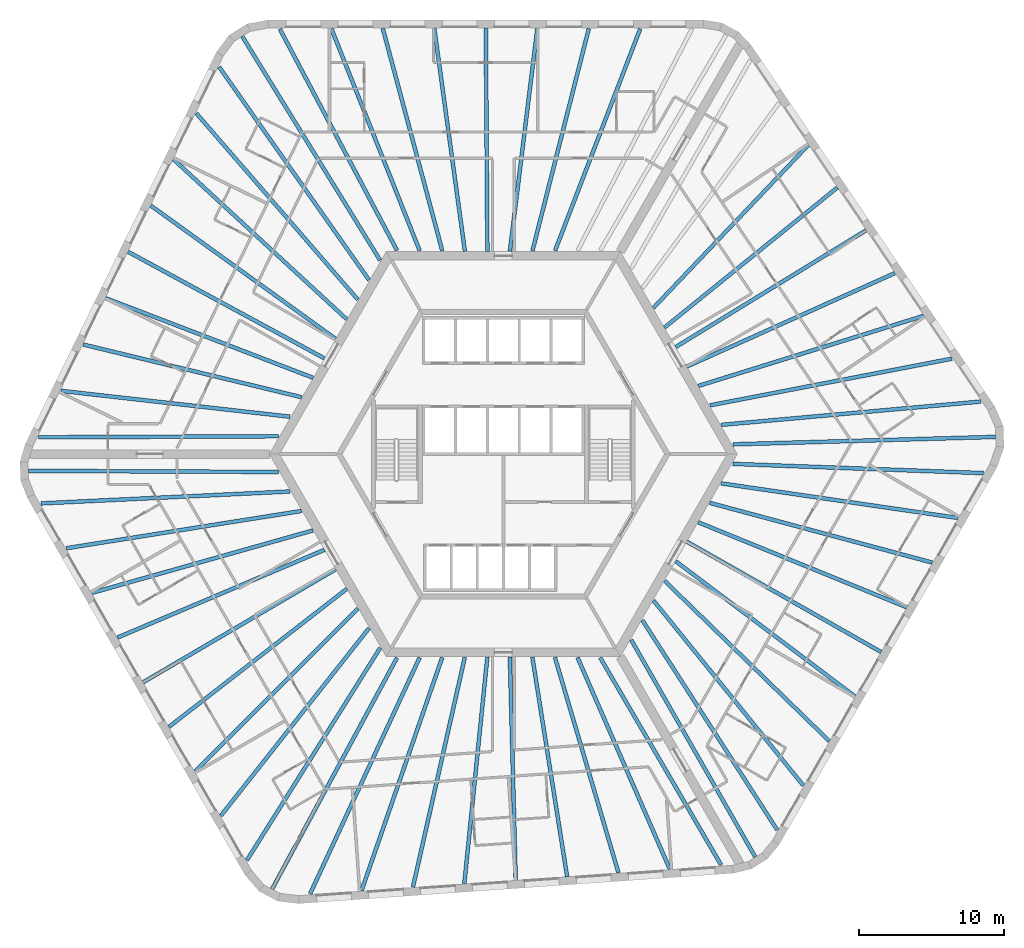
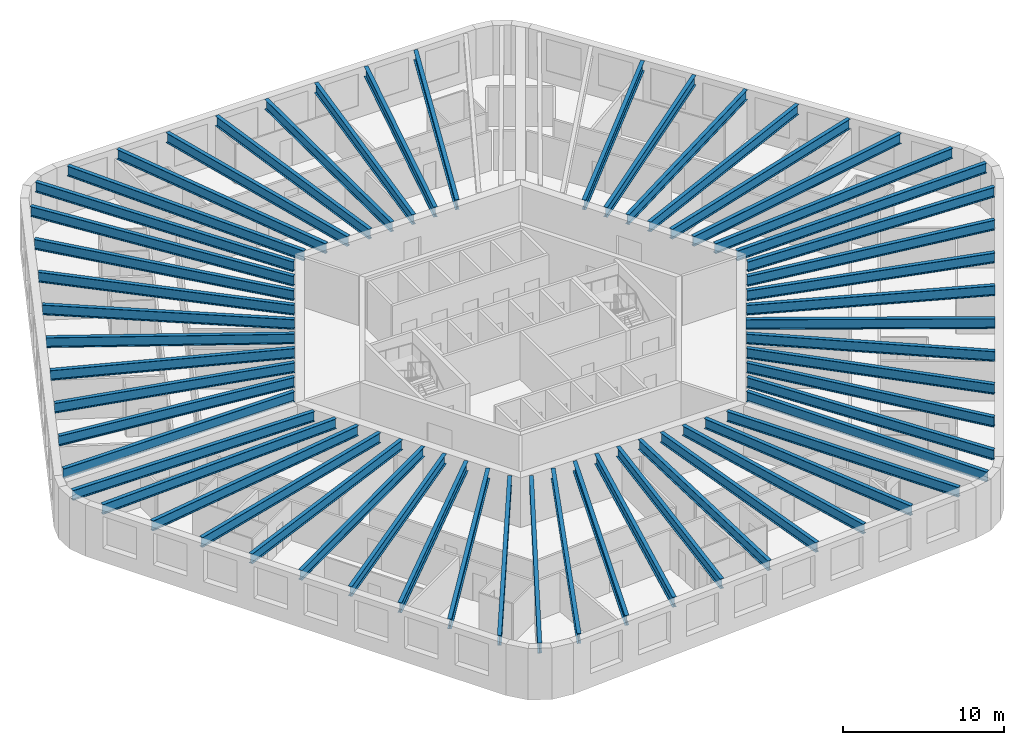
# One storey, part 1 of 11: 56 beams.
"""IFC4 building model written with IfcOpenShell, lengths in metres."""

import ifcopenshell
import ifcopenshell.guid

model = None  # the IFC model being written
_history = None  # IfcOwnerHistory: only IFC2X3 demands one
_inside = {}  # id of a spatial element -> (the spatial element, [elements in it])
_under = {}  # id of a project, library or spatial element -> (it, [spatial elements below it])
_declared = {}  # id of a project -> (the project, [libraries it declares])
_typed = {}  # id of a type object -> (the type object, [elements of that type])
_made_of = {}  # id of a material, layer set ... -> (it, [elements and type objects made of it])


def new_model(schema):
    """Start an empty IFC model of exactly this schema.

    Asked for "IFC4X3", IfcOpenShell would pick the latest addendum, in which some entities
    have other attributes; the version numbers below select the first issue.
    IFC2X3 requires an IfcOwnerHistory on every rooted entity: one is made here for all.
    """
    global model, _history
    if schema == "IFC4X3":
        model = ifcopenshell.file(schema_version=(4, 3, 0, 0))
    else:
        model = ifcopenshell.file(schema=schema)
    _inside.clear()
    _under.clear()
    _declared.clear()
    _typed.clear()
    _made_of.clear()
    _history = None
    if model.schema == "IFC2X3":
        org = make("IfcOrganization", Name="unknown")
        user = make(
            "IfcPersonAndOrganization",
            ThePerson=make("IfcPerson", FamilyName="unknown"),
            TheOrganization=org,
        )
        app = make(
            "IfcApplication",
            ApplicationDeveloper=org,
            Version="unknown",
            ApplicationFullName="unknown",
            ApplicationIdentifier="unknown",
        )
        _history = make(
            "IfcOwnerHistory",
            OwningUser=user,
            OwningApplication=app,
            ChangeAction="ADDED",
            CreationDate=0,
        )
    return model


def make(cls, **values):
    """One entity of the class cls with the attributes given. An attribute that is None is left unset."""
    return model.create_entity(
        cls, **{name: value for name, value in values.items() if value is not None}
    )


def rooted(cls, **values):
    """An entity with a GlobalId (a new one), such as an element, a storey or a relation."""
    return make(cls, GlobalId=ifcopenshell.guid.new(), OwnerHistory=_history, **values)


def si_unit(unit_type, name, prefix=None):
    """IfcSIUnit, for example si_unit("LENGTHUNIT", "METRE", prefix="MILLI")."""
    return make("IfcSIUnit", UnitType=unit_type, Prefix=prefix, Name=name)


def assignment(units):
    """IfcUnitAssignment: the units of a project."""
    return None if units is None else make("IfcUnitAssignment", Units=units)


def point(xyz):
    """IfcCartesianPoint."""
    return None if xyz is None else make("IfcCartesianPoint", Coordinates=xyz)


def direction(xyz):
    """IfcDirection."""
    return None if xyz is None else make("IfcDirection", DirectionRatios=xyz)


def frame(location, z_axis=None, x_axis=None):
    """IfcAxis2Placement3D, a coordinate frame: its origin and axes. An axis left out is left unset."""
    return make(
        "IfcAxis2Placement3D",
        Location=point(location),
        Axis=direction(z_axis),
        RefDirection=direction(x_axis),
    )


def frame_2d(location, x_axis=None):
    """IfcAxis2Placement2D, a coordinate frame in the plane: its origin and x axis."""
    return make(
        "IfcAxis2Placement2D", Location=point(location), RefDirection=direction(x_axis)
    )


def origin():
    """The frame at (0, 0, 0) with its axes left unset."""
    return frame((0.0, 0.0, 0.0))


def origin_2d():
    """The frame at (0, 0) in the plane with its x axis left unset."""
    return frame_2d((0.0, 0.0))


def place(relative_to, where):
    """IfcLocalPlacement: puts the frame where relative to a parent placement (None: the world)."""
    return make(
        "IfcLocalPlacement", PlacementRelTo=relative_to, RelativePlacement=where
    )


def context(
    kind, dimensions, precision=None, world=None, true_north=None, identifier=None
):
    """IfcGeometricRepresentationContext, for example the 3D "Model" context."""
    return make(
        "IfcGeometricRepresentationContext",
        ContextIdentifier=identifier,
        ContextType=kind,
        CoordinateSpaceDimension=dimensions,
        Precision=precision,
        WorldCoordinateSystem=world,
        TrueNorth=true_north,
    )


def subcontext(parent, identifier, kind, view, scale=None):
    """IfcGeometricRepresentationSubContext, for example "Body" below "Model"."""
    return make(
        "IfcGeometricRepresentationSubContext",
        ContextIdentifier=identifier,
        ContextType=kind,
        ParentContext=parent,
        TargetScale=scale,
        TargetView=view,
    )


def project(units=None, contexts=None):
    """IfcProject with its units and contexts."""
    return rooted(
        "IfcProject",
        Name="project",
        RepresentationContexts=contexts,
        UnitsInContext=assignment(units),
    )


def spatial(cls, under=None, at=None, **own):
    """A site, building, storey or space (cls), placed at a placement, below another one or the project."""
    s = rooted(cls, ObjectPlacement=at, **own)
    if under is not None:
        _under.setdefault(under.id(), (under, []))[1].append(s)
    return s


def profile(cls, at=None, kind="AREA", **sizes):
    """A parametric profile (cls). Its sizes go by their IFC names, for example OverallWidth=200.0."""
    return make(cls, ProfileType=kind, Position=at, **sizes)


def i_section(**sizes):
    """IfcIShapeProfileDef."""
    return profile("IfcIShapeProfileDef", **sizes)


def extrude(swept, where, along, depth):
    """IfcExtrudedAreaSolid: the profile swept, set in the frame where, extruded along a direction by depth."""
    return make(
        "IfcExtrudedAreaSolid",
        SweptArea=swept,
        Position=where,
        ExtrudedDirection=direction(along),
        Depth=depth,
    )


def shape(context_of_items, identifier, shape_type, items):
    """IfcShapeRepresentation: the items that make up one representation, for example the "Body"."""
    return make(
        "IfcShapeRepresentation",
        ContextOfItems=context_of_items,
        RepresentationIdentifier=identifier,
        RepresentationType=shape_type,
        Items=items,
    )


def material(Name=None, Category=None):
    """IfcMaterial."""
    return make("IfcMaterial", Name=Name, Category=Category)


def material_profile(
    of_material, cross_section, Name=None, Category=None, Priority=None
):
    """IfcMaterialProfile: a cross section and its material."""
    return make(
        "IfcMaterialProfile",
        Name=Name,
        Material=of_material,
        Profile=cross_section,
        Priority=Priority,
        Category=Category,
    )


def profile_set(profiles, Name=None, composite=None):
    """IfcMaterialProfileSet."""
    return make(
        "IfcMaterialProfileSet",
        Name=Name,
        MaterialProfiles=profiles,
        CompositeProfile=composite,
    )


def made_of(thing, what):
    """Note that an element or type object is made of a material, layer set ...; save() writes the relation."""
    if what is not None:
        _made_of.setdefault(what.id(), (what, []))[1].append(thing)
    return thing


def type_object(cls, material=None, **own):
    """A type object (cls), such as IfcWallType, which elements share."""
    return made_of(rooted(cls, **own), material)


def element(
    cls,
    number,
    at=None,
    inside=None,
    cuts=None,
    type_object=None,
    material=None,
    context=None,
    identifier="Body",
    shape_type=None,
    held_by="IfcProductDefinitionShape",
    body=None,
    shapes=None,
    **own,
):
    """One element of the class cls, such as IfcWall. Its Tag is "e" and its number.

    at: its placement. inside: the storey or other place that contains it. cuts: it is an
    opening in that element (IfcRelVoidsElement). A single representation is given by context,
    identifier, shape_type and body (its items); several are given by shapes. held_by: the class
    of the entity that holds the representations. save() writes the other relations.
    """
    e = rooted(cls, Tag="e%d" % number, ObjectPlacement=at, **own)
    if body is not None:
        shapes = [shape(context, identifier, shape_type, body)]
    if shapes is not None:
        e.Representation = make(held_by, Representations=shapes)
    if inside is not None:
        _inside.setdefault(inside.id(), (inside, []))[1].append(e)
    if cuts is not None:
        rooted(
            "IfcRelVoidsElement", RelatingBuildingElement=cuts, RelatedOpeningElement=e
        )
    if type_object is not None:
        _typed.setdefault(type_object.id(), (type_object, []))[1].append(e)
    return made_of(e, material)


def aggregate(whole, parts):
    """IfcRelAggregates: a whole, such as a stair, and the parts it consists of."""
    return rooted("IfcRelAggregates", RelatingObject=whole, RelatedObjects=parts)


def save(model, path):
    """Write the relations noted so far, then the file.

    IfcRelAggregates (storeys below a building ...), IfcRelContainedInSpatialStructure (elements
    in a storey), IfcRelDefinesByType, IfcRelAssociatesMaterial and IfcRelDeclares: one each for
    every whole, place, type object, material and project.
    """
    for whole, parts in _under.values():
        aggregate(whole, parts)
    for where, things in _inside.values():
        rooted(
            "IfcRelContainedInSpatialStructure",
            RelatedElements=things,
            RelatingStructure=where,
        )
    for kind, things in _typed.values():
        rooted("IfcRelDefinesByType", RelatedObjects=things, RelatingType=kind)
    for what, things in _made_of.values():
        rooted("IfcRelAssociatesMaterial", RelatedObjects=things, RelatingMaterial=what)
    for by, libraries in _declared.values():
        rooted("IfcRelDeclares", RelatingContext=by, RelatedDefinitions=libraries)
    model.write(path)


model = new_model("IFC4")

# Units and contexts
model_context = context("Model", 3, precision=1e-05, world=origin(), true_north=direction((0.0, 1.0)))
body_context = subcontext(model_context, "Body", "Model", "MODEL_VIEW")
ifc_project = project(units=[si_unit("LENGTHUNIT", "METRE"), si_unit("AREAUNIT", "SQUARE_METRE"), si_unit("VOLUMEUNIT", "CUBIC_METRE"), si_unit("PLANEANGLEUNIT", "RADIAN"), si_unit("MASSUNIT", "GRAM", prefix="KILO")], contexts=[model_context])

# Site, building, storey
site_placement = place(None, origin())
site = spatial("IfcSite", under=ifc_project, at=site_placement, CompositionType="ELEMENT")
building_placement = place(site_placement, origin())
building = spatial("IfcBuilding", under=site, at=building_placement, Name="Tarnside Tower", CompositionType="ELEMENT")
storey_placement = place(building_placement, frame((0.0, 0.0, 103.800048828125)))
storey = spatial("IfcBuildingStorey", under=building, at=storey_placement, Name="L23", CompositionType="ELEMENT", Elevation=103.800048828125)

# Beams
ifc_material = material(Name="Steel S355", Category="steel")
ifc_material_profile_1 = material_profile(ifc_material, i_section(OverallWidth=0.26513671875, OverallDepth=0.75390625, WebThickness=0.0126953125, FlangeThickness=0.017578125, FilletRadius=0.0166015625, at=origin_2d()), Name="UB 762x267x147")
ifc_profile_set_1 = profile_set([ifc_material_profile_1], Name="Steel S355")
beam_type_1 = type_object("IfcBeamType", Name="Floor beam UB 762x267x147", PredefinedType="BEAM", material=ifc_profile_set_1)
beam_1_placement = place(storey_placement, frame((2.3525390625, 29.43017578125, 3.373046875), z_axis=(-0.122329629165, -0.992489527314, 0.0), x_axis=(0.992489527314, -0.122329629165, 0.0)))
element("IfcBeam", 1, at=beam_1_placement, inside=storey, type_object=beam_type_1, Name="Floor beam F1.04", PredefinedType="BEAM", context=body_context, shape_type="SweptSolid", body=[
    extrude(i_section(OverallWidth=0.26513671875, OverallDepth=0.75390625, WebThickness=0.0126953125, FlangeThickness=0.017578125, FilletRadius=0.0166015625, at=origin_2d()), origin(), (0.0, 0.0, 1.0), 15.527099609375),
])
beam_2_placement = place(storey_placement, frame((-1.208984375, 29.449951171875, 3.373046875), z_axis=(0.007000128723, -0.999975498799, 0.0), x_axis=(0.999975498799, 0.007000128723, 0.0)))
element("IfcBeam", 2, at=beam_2_placement, inside=storey, type_object=beam_type_1, Name="Floor beam F1.05", PredefinedType="BEAM", context=body_context, shape_type="SweptSolid", body=[
    extrude(i_section(OverallWidth=0.26513671875, OverallDepth=0.75390625, WebThickness=0.0126953125, FlangeThickness=0.017578125, FilletRadius=0.0166015625, at=origin_2d()), origin(), (0.0, 0.0, 1.0), 15.450439453125),
])
beam_3_placement = place(storey_placement, frame((-4.7705078125, 29.43017578125, 3.373046875), z_axis=(0.136000560933, -0.990708760144, 0.0), x_axis=(0.990708760144, 0.136000560933, 0.0)))
element("IfcBeam", 3, at=beam_3_placement, inside=storey, type_object=beam_type_1, Name="Floor beam F1.06", PredefinedType="BEAM", context=body_context, shape_type="SweptSolid", body=[
    extrude(i_section(OverallWidth=0.26513671875, OverallDepth=0.75390625, WebThickness=0.0126953125, FlangeThickness=0.017578125, FilletRadius=0.0166015625, at=origin_2d()), origin(), (0.0, 0.0, 1.0), 15.554931640625),
])
beam_4_placement = place(storey_placement, frame((-24.348876953125, 17.168212890625, 3.373046875), z_axis=(0.811027744825, -0.585007689799, 0.0), x_axis=(0.585007689799, 0.811027744825, 0.0)))
element("IfcBeam", 4, at=beam_4_placement, inside=storey, type_object=beam_type_1, Name="Floor beam F2.04", PredefinedType="BEAM", context=body_context, shape_type="SweptSolid", body=[
    extrude(i_section(OverallWidth=0.26513671875, OverallDepth=0.75390625, WebThickness=0.0126953125, FlangeThickness=0.017578125, FilletRadius=0.0166015625, at=origin_2d()), origin(), (0.0, 0.0, 1.0), 15.731689453125),
])
beam_5_placement = place(storey_placement, frame((-25.92626953125, 13.978271484375, 3.373046875), z_axis=(0.878894567679, -0.477016078245, 0.0), x_axis=(0.477016078245, 0.878894567679, 0.0)))
element("IfcBeam", 5, at=beam_5_placement, inside=storey, type_object=beam_type_1, Name="Floor beam F2.05", PredefinedType="BEAM", context=body_context, shape_type="SweptSolid", body=[
    extrude(i_section(OverallWidth=0.26513671875, OverallDepth=0.75390625, WebThickness=0.0126953125, FlangeThickness=0.017578125, FilletRadius=0.0166015625, at=origin_2d()), origin(), (0.0, 0.0, 1.0), 15.427490234375),
])
beam_6_placement = place(storey_placement, frame((-27.487548828125, 10.77734375, 3.373046875), z_axis=(0.933617702452, -0.358270827264, 0.0), x_axis=(0.358270827264, 0.933617702452, 0.0)))
element("IfcBeam", 6, at=beam_6_placement, inside=storey, type_object=beam_type_1, Name="Floor beam F2.06", PredefinedType="BEAM", context=body_context, shape_type="SweptSolid", body=[
    extrude(i_section(OverallWidth=0.26513671875, OverallDepth=0.75390625, WebThickness=0.0126953125, FlangeThickness=0.017578125, FilletRadius=0.0166015625, at=origin_2d()), origin(), (0.0, 0.0, 1.0), 15.363037109375),
])
beam_7_placement = place(storey_placement, frame((-29.029296875, 7.572509765625, 3.373046875), z_axis=(0.972101750991, -0.234559556873, 0.0), x_axis=(0.234559556873, 0.972101750991, 0.0)))
element("IfcBeam", 7, at=beam_7_placement, inside=storey, type_object=beam_type_1, Name="Floor beam F2.07", PredefinedType="BEAM", context=body_context, shape_type="SweptSolid", body=[
    extrude(i_section(OverallWidth=0.26513671875, OverallDepth=0.75390625, WebThickness=0.0126953125, FlangeThickness=0.017578125, FilletRadius=0.0166015625, at=origin_2d()), origin(), (0.0, 0.0, 1.0), 15.522216796875),
])
beam_8_placement = place(storey_placement, frame((-26.66357421875, -12.677734375, 3.373046875), z_axis=(0.920684021494, 0.390308765679, 0.0), x_axis=(-0.390308765679, 0.920684021494, 0.0)))
element("IfcBeam", 8, at=beam_8_placement, inside=storey, type_object=beam_type_1, Name="Floor beam F3.04", PredefinedType="BEAM", context=body_context, shape_type="SweptSolid", body=[
    extrude(i_section(OverallWidth=0.26513671875, OverallDepth=0.75390625, WebThickness=0.0126953125, FlangeThickness=0.017578125, FilletRadius=0.0166015625, at=origin_2d()), origin(), (0.0, 0.0, 1.0), 15.52685546875),
])
beam_9_placement = place(storey_placement, frame((-24.89990234375, -15.772216796875, 3.373046875), z_axis=(0.862497502004, 0.506061319443, 0.0), x_axis=(-0.506061319443, 0.862497502004, 0.0)))
element("IfcBeam", 9, at=beam_9_placement, inside=storey, type_object=beam_type_1, Name="Floor beam F3.05", PredefinedType="BEAM", context=body_context, shape_type="SweptSolid", body=[
    extrude(i_section(OverallWidth=0.26513671875, OverallDepth=0.75390625, WebThickness=0.0126953125, FlangeThickness=0.017578125, FilletRadius=0.0166015625, at=origin_2d()), origin(), (0.0, 0.0, 1.0), 15.450439453125),
])
beam_10_placement = place(storey_placement, frame((-23.10205078125, -18.846435546875, 3.373046875), z_axis=(0.789983963813, 0.613127504617, 0.0), x_axis=(-0.613127504617, 0.789983963813, 0.0)))
element("IfcBeam", 10, at=beam_10_placement, inside=storey, type_object=beam_type_1, Name="Floor beam F3.06", PredefinedType="BEAM", context=body_context, shape_type="SweptSolid", body=[
    extrude(i_section(OverallWidth=0.26513671875, OverallDepth=0.75390625, WebThickness=0.0126953125, FlangeThickness=0.017578125, FilletRadius=0.0166015625, at=origin_2d()), origin(), (0.0, 0.0, 1.0), 15.554931640625),
])
beam_11_placement = place(storey_placement, frame((-2.693603515625, -29.6708984375, 3.373046875), z_axis=(0.101123115756, 0.994873919379, 0.0), x_axis=(-0.994873919379, 0.101123115756, 0.0)))
element("IfcBeam", 11, at=beam_11_placement, inside=storey, type_object=beam_type_1, Name="Floor beam F4.04", PredefinedType="BEAM", context=body_context, shape_type="SweptSolid", body=[
    extrude(i_section(OverallWidth=0.26513671875, OverallDepth=0.75390625, WebThickness=0.0126953125, FlangeThickness=0.017578125, FilletRadius=0.0166015625, at=origin_2d()), origin(), (0.0, 0.0, 1.0), 15.7314453125),
])
beam_12_placement = place(storey_placement, frame((0.857666015625, -29.44189453125, 3.373046875), z_axis=(-0.026333316788, 0.999653218085, 0.0), x_axis=(-0.999653218085, -0.026333316788, 0.0)))
element("IfcBeam", 12, at=beam_12_placement, inside=storey, type_object=beam_type_1, Name="Floor beam F4.05", PredefinedType="BEAM", context=body_context, shape_type="SweptSolid", body=[
    extrude(i_section(OverallWidth=0.26513671875, OverallDepth=0.75390625, WebThickness=0.0126953125, FlangeThickness=0.017578125, FilletRadius=0.0166015625, at=origin_2d()), origin(), (0.0, 0.0, 1.0), 15.42724609375),
])
beam_13_placement = place(storey_placement, frame((4.41015625, -29.193603515625, 3.373046875), z_axis=(-0.156513375907, 0.98767583911, 0.0), x_axis=(-0.98767583911, -0.156513375907, 0.0)))
element("IfcBeam", 13, at=beam_13_placement, inside=storey, type_object=beam_type_1, Name="Floor beam F4.06", PredefinedType="BEAM", context=body_context, shape_type="SweptSolid", body=[
    extrude(i_section(OverallWidth=0.26513671875, OverallDepth=0.75390625, WebThickness=0.0126953125, FlangeThickness=0.017578125, FilletRadius=0.0166015625, at=origin_2d()), origin(), (0.0, 0.0, 1.0), 15.36328125),
])
beam_14_placement = place(storey_placement, frame((7.956787109375, -28.926513671875, 3.373046875), z_axis=(-0.282920694328, 0.959143305623, 0.0), x_axis=(-0.959143305623, -0.282920694328, 0.0)))
element("IfcBeam", 14, at=beam_14_placement, inside=storey, type_object=beam_type_1, Name="Floor beam F4.07", PredefinedType="BEAM", context=body_context, shape_type="SweptSolid", body=[
    extrude(i_section(OverallWidth=0.26513671875, OverallDepth=0.75390625, WebThickness=0.0126953125, FlangeThickness=0.017578125, FilletRadius=0.0166015625, at=origin_2d()), origin(), (0.0, 0.0, 1.0), 15.5224609375),
])
beam_15_placement = place(storey_placement, frame((24.31103515625, -16.75244140625, 3.373046875), z_axis=(-0.798361152727, 0.602178935049, 0.0), x_axis=(-0.602178935049, -0.798361152727, 0.0)))
element("IfcBeam", 15, at=beam_15_placement, inside=storey, type_object=beam_type_1, Name="Floor beam F5.04", PredefinedType="BEAM", context=body_context, shape_type="SweptSolid", body=[
    extrude(i_section(OverallWidth=0.26513671875, OverallDepth=0.75390625, WebThickness=0.0126953125, FlangeThickness=0.017578125, FilletRadius=0.0166015625, at=origin_2d()), origin(), (0.0, 0.0, 1.0), 15.527099609375),
])
beam_16_placement = place(storey_placement, frame((26.10888671875, -13.677978515625, 3.373046875), z_axis=(-0.869502520992, 0.493928502911, 0.0), x_axis=(-0.493928502911, -0.869502520992, 0.0)))
element("IfcBeam", 16, at=beam_16_placement, inside=storey, type_object=beam_type_1, Name="Floor beam F5.05", PredefinedType="BEAM", context=body_context, shape_type="SweptSolid", body=[
    extrude(i_section(OverallWidth=0.26513671875, OverallDepth=0.75390625, WebThickness=0.0126953125, FlangeThickness=0.017578125, FilletRadius=0.0166015625, at=origin_2d()), origin(), (0.0, 0.0, 1.0), 15.4501953125),
])
beam_17_placement = place(storey_placement, frame((27.87255859375, -10.58349609375, 3.373046875), z_axis=(-0.925981621163, 0.377568586177, 0.0), x_axis=(-0.377568586177, -0.925981621163, 0.0)))
element("IfcBeam", 17, at=beam_17_placement, inside=storey, type_object=beam_type_1, Name="Floor beam F5.06", PredefinedType="BEAM", context=body_context, shape_type="SweptSolid", body=[
    extrude(i_section(OverallWidth=0.26513671875, OverallDepth=0.75390625, WebThickness=0.0126953125, FlangeThickness=0.017578125, FilletRadius=0.0166015625, at=origin_2d()), origin(), (0.0, 0.0, 1.0), 15.554931640625),
])
beam_18_placement = place(storey_placement, frame((27.04248046875, 12.502685546875, 3.373046875), z_axis=(-0.912146413919, -0.409864513681, 0.0), x_axis=(0.409864513681, -0.912146413919, 0.0)))
element("IfcBeam", 18, at=beam_18_placement, inside=storey, type_object=beam_type_1, Name="Floor beam F6.04", PredefinedType="BEAM", context=body_context, shape_type="SweptSolid", body=[
    extrude(i_section(OverallWidth=0.26513671875, OverallDepth=0.75390625, WebThickness=0.0126953125, FlangeThickness=0.017578125, FilletRadius=0.0166015625, at=origin_2d()), origin(), (0.0, 0.0, 1.0), 15.7314453125),
])
beam_19_placement = place(storey_placement, frame((25.068603515625, 15.463623046875, 3.373046875), z_axis=(-0.852558490017, -0.522631821744, 0.0), x_axis=(0.522631821744, -0.852558490017, 0.0)))
element("IfcBeam", 19, at=beam_19_placement, inside=storey, type_object=beam_type_1, Name="Floor beam F6.05", PredefinedType="BEAM", context=body_context, shape_type="SweptSolid", body=[
    extrude(i_section(OverallWidth=0.26513671875, OverallDepth=0.75390625, WebThickness=0.0126953125, FlangeThickness=0.017578125, FilletRadius=0.0166015625, at=origin_2d()), origin(), (0.0, 0.0, 1.0), 15.42724609375),
])
beam_20_placement = place(storey_placement, frame((23.0771484375, 18.416259765625, 3.373046875), z_axis=(-0.777079423039, -0.629402550272, 0.0), x_axis=(0.629402550272, -0.777079423039, 0.0)))
element("IfcBeam", 20, at=beam_20_placement, inside=storey, type_object=beam_type_1, Name="Floor beam F6.06", PredefinedType="BEAM", context=body_context, shape_type="SweptSolid", body=[
    extrude(i_section(OverallWidth=0.26513671875, OverallDepth=0.75390625, WebThickness=0.0126953125, FlangeThickness=0.017578125, FilletRadius=0.0166015625, at=origin_2d()), origin(), (0.0, 0.0, 1.0), 15.36328125),
])
beam_21_placement = place(storey_placement, frame((21.072509765625, 21.35400390625, 3.373046875), z_axis=(-0.689174694318, -0.724595225427, 0.0), x_axis=(0.724595225427, -0.689174694318, 0.0)))
element("IfcBeam", 21, at=beam_21_placement, inside=storey, type_object=beam_type_1, Name="Floor beam F6.07", PredefinedType="BEAM", context=body_context, shape_type="SweptSolid", body=[
    extrude(i_section(OverallWidth=0.26513671875, OverallDepth=0.75390625, WebThickness=0.0126953125, FlangeThickness=0.017578125, FilletRadius=0.0166015625, at=origin_2d()), origin(), (0.0, 0.0, 1.0), 15.522216796875),
])
ifc_material_profile_2 = material_profile(ifc_material, i_section(OverallWidth=0.2666015625, OverallDepth=0.76220703125, WebThickness=0.014404296875, FlangeThickness=0.021484375, FilletRadius=0.0166015625, at=origin_2d()), Name="UB 762x267x173")
ifc_profile_set_2 = profile_set([ifc_material_profile_2], Name="Steel S355")
beam_type_2 = type_object("IfcBeamType", Name="Floor beam UB 762x267x173", PredefinedType="BEAM", material=ifc_profile_set_2)
beam_22_placement = place(storey_placement, frame((9.4619140625, 29.39404296875, 3.368896484375), z_axis=(-0.358299847269, -0.933606565662, 0.0), x_axis=(0.933606565662, -0.358299847269, 0.0)))
element("IfcBeam", 22, at=beam_22_placement, inside=storey, type_object=beam_type_2, Name="Floor beam F1.02", PredefinedType="BEAM", context=body_context, shape_type="SweptSolid", body=[
    extrude(i_section(OverallWidth=0.2666015625, OverallDepth=0.76220703125, WebThickness=0.014404296875, FlangeThickness=0.021484375, FilletRadius=0.0166015625, at=origin_2d()), origin(), (0.0, 0.0, 1.0), 16.428955078125),
])
beam_23_placement = place(storey_placement, frame((5.909423828125, 29.4111328125, 3.368896484375), z_axis=(-0.245747281389, -0.969333933013, 0.0), x_axis=(0.969333933013, -0.245747281389, 0.0)))
element("IfcBeam", 23, at=beam_23_placement, inside=storey, type_object=beam_type_2, Name="Floor beam F1.03", PredefinedType="BEAM", context=body_context, shape_type="SweptSolid", body=[
    extrude(i_section(OverallWidth=0.2666015625, OverallDepth=0.76220703125, WebThickness=0.014404296875, FlangeThickness=0.021484375, FilletRadius=0.0166015625, at=origin_2d()), origin(), (0.0, 0.0, 1.0), 15.858642578125),
])
beam_24_placement = place(storey_placement, frame((-8.3271484375, 29.411376953125, 3.368896484375), z_axis=(0.258447478572, -0.966025310652, 0.0), x_axis=(0.966025310652, 0.258447478572, 0.0)))
element("IfcBeam", 24, at=beam_24_placement, inside=storey, type_object=beam_type_2, Name="Floor beam F1.07", PredefinedType="BEAM", context=body_context, shape_type="SweptSolid", body=[
    extrude(i_section(OverallWidth=0.2666015625, OverallDepth=0.76220703125, WebThickness=0.014404296875, FlangeThickness=0.021484375, FilletRadius=0.0166015625, at=origin_2d()), origin(), (0.0, 0.0, 1.0), 15.91357421875),
])
beam_25_placement = place(storey_placement, frame((-11.87939453125, 29.394287109375, 3.368896484375), z_axis=(0.369638204477, -0.929175762593, 0.0), x_axis=(0.929175762593, 0.369638204477, 0.0)))
element("IfcBeam", 25, at=beam_25_placement, inside=storey, type_object=beam_type_2, Name="Floor beam F1.08", PredefinedType="BEAM", context=body_context, shape_type="SweptSolid", body=[
    extrude(i_section(OverallWidth=0.2666015625, OverallDepth=0.76220703125, WebThickness=0.014404296875, FlangeThickness=0.021484375, FilletRadius=0.0166015625, at=origin_2d()), origin(), (0.0, 0.0, 1.0), 16.507568359375),
])
beam_26_placement = place(storey_placement, frame((-15.44580078125, 29.37939453125, 3.368896484375), z_axis=(0.467741993634, -0.883865050441, 0.0), x_axis=(0.883865050441, 0.467741993634, 0.0)))
element("IfcBeam", 26, at=beam_26_placement, inside=storey, type_object=beam_type_2, Name="Floor beam F1.09", PredefinedType="BEAM", context=body_context, shape_type="SweptSolid", body=[
    extrude(i_section(OverallWidth=0.2666015625, OverallDepth=0.76220703125, WebThickness=0.014404296875, FlangeThickness=0.021484375, FilletRadius=0.0166015625, at=origin_2d()), origin(), (0.0, 0.0, 1.0), 17.320068359375),
])
beam_27_placement = place(storey_placement, frame((-18.042236328125, 28.8701171875, 3.368896484375), z_axis=(0.524382977035, -0.851482526771, 0.0), x_axis=(0.851482526771, 0.524382977035, 0.0)))
element("IfcBeam", 27, at=beam_27_placement, inside=storey, type_object=beam_type_2, Name="Floor beam C1", PredefinedType="BEAM", context=body_context, shape_type="SweptSolid", body=[
    extrude(i_section(OverallWidth=0.2666015625, OverallDepth=0.76220703125, WebThickness=0.014404296875, FlangeThickness=0.021484375, FilletRadius=0.0166015625, at=origin_2d()), origin(), (0.0, 0.0, 1.0), 18.1728515625),
])
beam_28_placement = place(storey_placement, frame((-19.638671875, 26.75537109375, 3.368896484375), z_axis=(0.575411427849, -0.817864101609, 0.0), x_axis=(0.817864101609, 0.575411427849, 0.0)))
element("IfcBeam", 28, at=beam_28_placement, inside=storey, type_object=beam_type_2, Name="Floor beam F2.01", PredefinedType="BEAM", context=body_context, shape_type="SweptSolid", body=[
    extrude(i_section(OverallWidth=0.2666015625, OverallDepth=0.76220703125, WebThickness=0.014404296875, FlangeThickness=0.021484375, FilletRadius=0.0166015625, at=origin_2d()), origin(), (0.0, 0.0, 1.0), 18.00048828125),
])
beam_29_placement = place(storey_placement, frame((-21.21630859375, 23.554931640625, 3.368896484375), z_axis=(0.654980748073, -0.755645564834, 0.0), x_axis=(0.755645564834, 0.654980748073, 0.0)))
element("IfcBeam", 29, at=beam_29_placement, inside=storey, type_object=beam_type_2, Name="Floor beam F2.02", PredefinedType="BEAM", context=body_context, shape_type="SweptSolid", body=[
    extrude(i_section(OverallWidth=0.2666015625, OverallDepth=0.76220703125, WebThickness=0.014404296875, FlangeThickness=0.021484375, FilletRadius=0.0166015625, at=origin_2d()), origin(), (0.0, 0.0, 1.0), 17.0302734375),
])
beam_30_placement = place(storey_placement, frame((-22.7890625, 20.368408203125, 3.368896484375), z_axis=(0.734715474517, -0.678375391288, 0.0), x_axis=(0.678375391288, 0.734715474517, 0.0)))
element("IfcBeam", 30, at=beam_30_placement, inside=storey, type_object=beam_type_2, Name="Floor beam F2.03", PredefinedType="BEAM", context=body_context, shape_type="SweptSolid", body=[
    extrude(i_section(OverallWidth=0.2666015625, OverallDepth=0.76220703125, WebThickness=0.014404296875, FlangeThickness=0.021484375, FilletRadius=0.0166015625, at=origin_2d()), origin(), (0.0, 0.0, 1.0), 16.2802734375),
])
beam_31_placement = place(storey_placement, frame((-30.570556640625, 4.372802734375, 3.368896484375), z_axis=(0.993687302776, -0.112185312326, 0.0), x_axis=(0.112185312326, 0.993687302776, 0.0)))
element("IfcBeam", 31, at=beam_31_placement, inside=storey, type_object=beam_type_2, Name="Floor beam F2.08", PredefinedType="BEAM", context=body_context, shape_type="SweptSolid", body=[
    extrude(i_section(OverallWidth=0.2666015625, OverallDepth=0.76220703125, WebThickness=0.014404296875, FlangeThickness=0.021484375, FilletRadius=0.0166015625, at=origin_2d()), origin(), (0.0, 0.0, 1.0), 15.934326171875),
])
beam_32_placement = place(storey_placement, frame((-32.119384765625, 1.162109375, 3.368896484375), z_axis=(0.999990508787, 0.004356872304, 0.0), x_axis=(-0.004356872304, 0.999990508787, 0.0)))
element("IfcBeam", 32, at=beam_32_placement, inside=storey, type_object=beam_type_2, Name="Floor beam F2.09", PredefinedType="BEAM", context=body_context, shape_type="SweptSolid", body=[
    extrude(i_section(OverallWidth=0.2666015625, OverallDepth=0.76220703125, WebThickness=0.014404296875, FlangeThickness=0.021484375, FilletRadius=0.0166015625, at=origin_2d()), origin(), (0.0, 0.0, 1.0), 16.586669921875),
])
beam_33_placement = place(storey_placement, frame((-32.80712890625, -1.1572265625, 3.368896484375), z_axis=(0.999990027056, -0.004466070929, 0.0), x_axis=(0.004466070929, 0.999990027056, 0.0)))
element("IfcBeam", 33, at=beam_33_placement, inside=storey, type_object=beam_type_2, Name="Floor beam C2", PredefinedType="BEAM", context=body_context, shape_type="SweptSolid", body=[
    extrude(i_section(OverallWidth=0.2666015625, OverallDepth=0.76220703125, WebThickness=0.014404296875, FlangeThickness=0.021484375, FilletRadius=0.0166015625, at=origin_2d()), origin(), (0.0, 0.0, 1.0), 17.2744140625),
])
beam_34_placement = place(storey_placement, frame((-31.95703125, -3.406494140625, 3.368896484375), z_axis=(0.998853818522, 0.047864905982, 0.0), x_axis=(-0.047864905982, 0.998853818522, 0.0)))
element("IfcBeam", 34, at=beam_34_placement, inside=storey, type_object=beam_type_2, Name="Floor beam F3.01", PredefinedType="BEAM", context=body_context, shape_type="SweptSolid", body=[
    extrude(i_section(OverallWidth=0.2666015625, OverallDepth=0.76220703125, WebThickness=0.014404296875, FlangeThickness=0.021484375, FilletRadius=0.0166015625, at=origin_2d()), origin(), (0.0, 0.0, 1.0), 17.2197265625),
])
beam_35_placement = place(storey_placement, frame((-30.18701171875, -6.502685546875, 3.368896484375), z_axis=(0.987678477078, 0.156496728136, 0.0), x_axis=(-0.156496728136, 0.987678477078, 0.0)))
element("IfcBeam", 35, at=beam_35_placement, inside=storey, type_object=beam_type_2, Name="Floor beam F3.02", PredefinedType="BEAM", context=body_context, shape_type="SweptSolid", body=[
    extrude(i_section(OverallWidth=0.2666015625, OverallDepth=0.76220703125, WebThickness=0.014404296875, FlangeThickness=0.021484375, FilletRadius=0.0166015625, at=origin_2d()), origin(), (0.0, 0.0, 1.0), 16.4287109375),
])
beam_36_placement = place(storey_placement, frame((-28.425537109375, -9.587890625, 3.368896484375), z_axis=(0.962342240503, 0.271840784547, 0.0), x_axis=(-0.271840784547, 0.962342240503, 0.0)))
element("IfcBeam", 36, at=beam_36_placement, inside=storey, type_object=beam_type_2, Name="Floor beam F3.03", PredefinedType="BEAM", context=body_context, shape_type="SweptSolid", body=[
    extrude(i_section(OverallWidth=0.2666015625, OverallDepth=0.76220703125, WebThickness=0.014404296875, FlangeThickness=0.021484375, FilletRadius=0.0166015625, at=origin_2d()), origin(), (0.0, 0.0, 1.0), 15.858642578125),
])
beam_37_placement = place(storey_placement, frame((-21.307373046875, -21.917236328125, 3.368896484375), z_axis=(0.707367544857, 0.706845921318, 0.0), x_axis=(-0.706845921318, 0.707367544857, 0.0)))
element("IfcBeam", 37, at=beam_37_placement, inside=storey, type_object=beam_type_2, Name="Floor beam F3.07", PredefinedType="BEAM", context=body_context, shape_type="SweptSolid", body=[
    extrude(i_section(OverallWidth=0.2666015625, OverallDepth=0.76220703125, WebThickness=0.014404296875, FlangeThickness=0.021484375, FilletRadius=0.0166015625, at=origin_2d()), origin(), (0.0, 0.0, 1.0), 15.913330078125),
])
beam_38_placement = place(storey_placement, frame((-19.516357421875, -24.985107421875, 3.368896484375), z_axis=(0.619872995007, 0.784702153725, 0.0), x_axis=(-0.784702153725, 0.619872995007, 0.0)))
element("IfcBeam", 38, at=beam_38_placement, inside=storey, type_object=beam_type_2, Name="Floor beam F3.08", PredefinedType="BEAM", context=body_context, shape_type="SweptSolid", body=[
    extrude(i_section(OverallWidth=0.2666015625, OverallDepth=0.76220703125, WebThickness=0.014404296875, FlangeThickness=0.021484375, FilletRadius=0.0166015625, at=origin_2d()), origin(), (0.0, 0.0, 1.0), 16.507568359375),
])
beam_39_placement = place(storey_placement, frame((-17.72021484375, -28.066162109375, 3.368896484375), z_axis=(0.531583085704, 0.847006152866, 0.0), x_axis=(-0.847006152866, 0.531583085704, 0.0)))
element("IfcBeam", 39, at=beam_39_placement, inside=storey, type_object=beam_type_2, Name="Floor beam F3.09", PredefinedType="BEAM", context=body_context, shape_type="SweptSolid", body=[
    extrude(i_section(OverallWidth=0.2666015625, OverallDepth=0.76220703125, WebThickness=0.014404296875, FlangeThickness=0.021484375, FilletRadius=0.0166015625, at=origin_2d()), origin(), (0.0, 0.0, 1.0), 17.320068359375),
])
beam_40_placement = place(storey_placement, frame((-15.981201171875, -30.060302734375, 3.368896484375), z_axis=(0.475208200571, 0.879873380726, 0.0), x_axis=(-0.879873380726, 0.475208200571, 0.0)))
element("IfcBeam", 40, at=beam_40_placement, inside=storey, type_object=beam_type_2, Name="Floor beam C3", PredefinedType="BEAM", context=body_context, shape_type="SweptSolid", body=[
    extrude(i_section(OverallWidth=0.2666015625, OverallDepth=0.76220703125, WebThickness=0.014404296875, FlangeThickness=0.021484375, FilletRadius=0.0166015625, at=origin_2d()), origin(), (0.0, 0.0, 1.0), 18.173095703125),
])
beam_41_placement = place(storey_placement, frame((-13.3515625, -30.38525390625, 3.368896484375), z_axis=(0.42059199668, 0.907249895193, 0.0), x_axis=(-0.907249895193, 0.42059199668, 0.0)))
element("IfcBeam", 41, at=beam_41_placement, inside=storey, type_object=beam_type_2, Name="Floor beam F4.01", PredefinedType="BEAM", context=body_context, shape_type="SweptSolid", body=[
    extrude(i_section(OverallWidth=0.2666015625, OverallDepth=0.76220703125, WebThickness=0.014404296875, FlangeThickness=0.021484375, FilletRadius=0.0166015625, at=origin_2d()), origin(), (0.0, 0.0, 1.0), 18.000244140625),
])
beam_42_placement = place(storey_placement, frame((-9.791015625, -30.151123046875, 3.368896484375), z_axis=(0.326912128872, 0.945054739153, 0.0), x_axis=(-0.945054739153, 0.326912128872, 0.0)))
element("IfcBeam", 42, at=beam_42_placement, inside=storey, type_object=beam_type_2, Name="Floor beam F4.02", PredefinedType="BEAM", context=body_context, shape_type="SweptSolid", body=[
    extrude(i_section(OverallWidth=0.2666015625, OverallDepth=0.76220703125, WebThickness=0.014404296875, FlangeThickness=0.021484375, FilletRadius=0.0166015625, at=origin_2d()), origin(), (0.0, 0.0, 1.0), 17.0302734375),
])
beam_43_placement = place(storey_placement, frame((-6.2451171875, -29.920166015625, 3.368896484375), z_axis=(0.220139818673, 0.975468328668, 0.0), x_axis=(-0.975468328668, 0.220139818673, 0.0)))
element("IfcBeam", 43, at=beam_43_placement, inside=storey, type_object=beam_type_2, Name="Floor beam F4.03", PredefinedType="BEAM", context=body_context, shape_type="SweptSolid", body=[
    extrude(i_section(OverallWidth=0.2666015625, OverallDepth=0.76220703125, WebThickness=0.014404296875, FlangeThickness=0.021484375, FilletRadius=0.0166015625, at=origin_2d()), origin(), (0.0, 0.0, 1.0), 16.280517578125),
])
beam_44_placement = place(storey_placement, frame((11.498291015625, -28.6611328125, 3.368896484375), z_axis=(-0.399695682658, 0.916647893831, 0.0), x_axis=(-0.916647893831, -0.399695682658, 0.0)))
element("IfcBeam", 44, at=beam_44_placement, inside=storey, type_object=beam_type_2, Name="Floor beam F4.08", PredefinedType="BEAM", context=body_context, shape_type="SweptSolid", body=[
    extrude(i_section(OverallWidth=0.2666015625, OverallDepth=0.76220703125, WebThickness=0.014404296875, FlangeThickness=0.021484375, FilletRadius=0.0166015625, at=origin_2d()), origin(), (0.0, 0.0, 1.0), 15.934326171875),
])
beam_45_placement = place(storey_placement, frame((15.05322265625, -28.3974609375, 3.368896484375), z_axis=(-0.503758455062, 0.86384455717, 0.0), x_axis=(-0.86384455717, -0.503758455062, 0.0)))
element("IfcBeam", 45, at=beam_45_placement, inside=storey, type_object=beam_type_2, Name="Floor beam F4.09", PredefinedType="BEAM", context=body_context, shape_type="SweptSolid", body=[
    extrude(i_section(OverallWidth=0.2666015625, OverallDepth=0.76220703125, WebThickness=0.014404296875, FlangeThickness=0.021484375, FilletRadius=0.0166015625, at=origin_2d()), origin(), (0.0, 0.0, 1.0), 16.586669921875),
])
beam_46_placement = place(storey_placement, frame((17.40576171875, -27.833251953125, 3.368896484375), z_axis=(-0.496126762138, 0.868250099851, 0.0), x_axis=(-0.868250099851, -0.496126762138, 0.0)))
element("IfcBeam", 46, at=beam_46_placement, inside=storey, type_object=beam_type_2, Name="Floor beam C4", PredefinedType="BEAM", context=body_context, shape_type="SweptSolid", body=[
    extrude(i_section(OverallWidth=0.2666015625, OverallDepth=0.76220703125, WebThickness=0.014404296875, FlangeThickness=0.021484375, FilletRadius=0.0166015625, at=origin_2d()), origin(), (0.0, 0.0, 1.0), 17.2744140625),
])
beam_47_placement = place(storey_placement, frame((18.9287109375, -25.972412109375, 3.368896484375), z_axis=(-0.540872954463, 0.841104302171, 0.0), x_axis=(-0.841104302171, -0.540872954463, 0.0)))
element("IfcBeam", 47, at=beam_47_placement, inside=storey, type_object=beam_type_2, Name="Floor beam F5.01", PredefinedType="BEAM", context=body_context, shape_type="SweptSolid", body=[
    extrude(i_section(OverallWidth=0.2666015625, OverallDepth=0.76220703125, WebThickness=0.014404296875, FlangeThickness=0.021484375, FilletRadius=0.0166015625, at=origin_2d()), origin(), (0.0, 0.0, 1.0), 17.2197265625),
])
beam_48_placement = place(storey_placement, frame((20.72509765625, -22.89111328125, 3.368896484375), z_axis=(-0.62939015525, 0.777089462336, 0.0), x_axis=(-0.777089462336, -0.62939015525, 0.0)))
element("IfcBeam", 48, at=beam_48_placement, inside=storey, type_object=beam_type_2, Name="Floor beam F5.02", PredefinedType="BEAM", context=body_context, shape_type="SweptSolid", body=[
    extrude(i_section(OverallWidth=0.2666015625, OverallDepth=0.76220703125, WebThickness=0.014404296875, FlangeThickness=0.021484375, FilletRadius=0.0166015625, at=origin_2d()), origin(), (0.0, 0.0, 1.0), 16.4287109375),
])
beam_49_placement = place(storey_placement, frame((22.51611328125, -19.8232421875, 3.368896484375), z_axis=(-0.716594696052, 0.697489814686, 0.0), x_axis=(-0.697489814686, -0.716594696052, 0.0)))
element("IfcBeam", 49, at=beam_49_placement, inside=storey, type_object=beam_type_2, Name="Floor beam F5.03", PredefinedType="BEAM", context=body_context, shape_type="SweptSolid", body=[
    extrude(i_section(OverallWidth=0.2666015625, OverallDepth=0.76220703125, WebThickness=0.014404296875, FlangeThickness=0.021484375, FilletRadius=0.0166015625, at=origin_2d()), origin(), (0.0, 0.0, 1.0), 15.858642578125),
])
beam_50_placement = place(storey_placement, frame((29.634521484375, -7.494140625, 3.368896484375), z_axis=(-0.965827851395, 0.259184415946, 0.0), x_axis=(-0.259184415946, -0.965827851395, 0.0)))
element("IfcBeam", 50, at=beam_50_placement, inside=storey, type_object=beam_type_2, Name="Floor beam F5.07", PredefinedType="BEAM", context=body_context, shape_type="SweptSolid", body=[
    extrude(i_section(OverallWidth=0.2666015625, OverallDepth=0.76220703125, WebThickness=0.014404296875, FlangeThickness=0.021484375, FilletRadius=0.0166015625, at=origin_2d()), origin(), (0.0, 0.0, 1.0), 15.913330078125),
])
beam_51_placement = place(storey_placement, frame((31.39599609375, -4.4091796875, 3.368896484375), z_axis=(-0.989507887412, 0.144478859177, 0.0), x_axis=(-0.144478859177, -0.989507887412, 0.0)))
element("IfcBeam", 51, at=beam_51_placement, inside=storey, type_object=beam_type_2, Name="Floor beam F5.08", PredefinedType="BEAM", context=body_context, shape_type="SweptSolid", body=[
    extrude(i_section(OverallWidth=0.2666015625, OverallDepth=0.76220703125, WebThickness=0.014404296875, FlangeThickness=0.021484375, FilletRadius=0.0166015625, at=origin_2d()), origin(), (0.0, 0.0, 1.0), 16.507568359375),
])
beam_52_placement = place(storey_placement, frame((33.166259765625, -1.31298828125, 3.368896484375), z_axis=(-0.999320941149, 0.036846391708, 0.0), x_axis=(-0.036846391708, -0.999320941149, 0.0)))
element("IfcBeam", 52, at=beam_52_placement, inside=storey, type_object=beam_type_2, Name="Floor beam F5.09", PredefinedType="BEAM", context=body_context, shape_type="SweptSolid", body=[
    extrude(i_section(OverallWidth=0.2666015625, OverallDepth=0.76220703125, WebThickness=0.014404296875, FlangeThickness=0.021484375, FilletRadius=0.0166015625, at=origin_2d()), origin(), (0.0, 0.0, 1.0), 17.320068359375),
])
beam_53_placement = place(storey_placement, frame((34.0234375, 1.18994140625, 3.368896484375), z_axis=(-0.999597013499, -0.028386803343, 0.0), x_axis=(0.028386803343, -0.999597013499, 0.0)))
element("IfcBeam", 53, at=beam_53_placement, inside=storey, type_object=beam_type_2, Name="Floor beam C5", PredefinedType="BEAM", context=body_context, shape_type="SweptSolid", body=[
    extrude(i_section(OverallWidth=0.2666015625, OverallDepth=0.76220703125, WebThickness=0.014404296875, FlangeThickness=0.021484375, FilletRadius=0.0166015625, at=origin_2d()), origin(), (0.0, 0.0, 1.0), 18.1728515625),
])
beam_54_placement = place(storey_placement, frame((32.990234375, 3.6298828125, 3.368896484375), z_axis=(-0.995997485142, -0.089381259731, 0.0), x_axis=(0.089381259731, -0.995997485142, 0.0)))
element("IfcBeam", 54, at=beam_54_placement, inside=storey, type_object=beam_type_2, Name="Floor beam F6.01", PredefinedType="BEAM", context=body_context, shape_type="SweptSolid", body=[
    extrude(i_section(OverallWidth=0.2666015625, OverallDepth=0.76220703125, WebThickness=0.014404296875, FlangeThickness=0.021484375, FilletRadius=0.0166015625, at=origin_2d()), origin(), (0.0, 0.0, 1.0), 18.000244140625),
])
beam_55_placement = place(storey_placement, frame((31.007080078125, 6.596435546875, 3.368896484375), z_axis=(-0.981896564922, -0.189417886679, 0.0), x_axis=(0.189417886679, -0.981896564922, 0.0)))
element("IfcBeam", 55, at=beam_55_placement, inside=storey, type_object=beam_type_2, Name="Floor beam F6.02", PredefinedType="BEAM", context=body_context, shape_type="SweptSolid", body=[
    extrude(i_section(OverallWidth=0.2666015625, OverallDepth=0.76220703125, WebThickness=0.014404296875, FlangeThickness=0.021484375, FilletRadius=0.0166015625, at=origin_2d()), origin(), (0.0, 0.0, 1.0), 17.0302734375),
])
beam_56_placement = place(storey_placement, frame((29.0341796875, 9.5517578125, 3.368896484375), z_axis=(-0.954846945108, -0.297098151152, 0.0), x_axis=(0.297098151152, -0.954846945108, 0.0)))
element("IfcBeam", 56, at=beam_56_placement, inside=storey, type_object=beam_type_2, Name="Floor beam F6.03", PredefinedType="BEAM", context=body_context, shape_type="SweptSolid", body=[
    extrude(i_section(OverallWidth=0.2666015625, OverallDepth=0.76220703125, WebThickness=0.014404296875, FlangeThickness=0.021484375, FilletRadius=0.0166015625, at=origin_2d()), origin(), (0.0, 0.0, 1.0), 16.280517578125),
])

save(model, "model.ifc")
